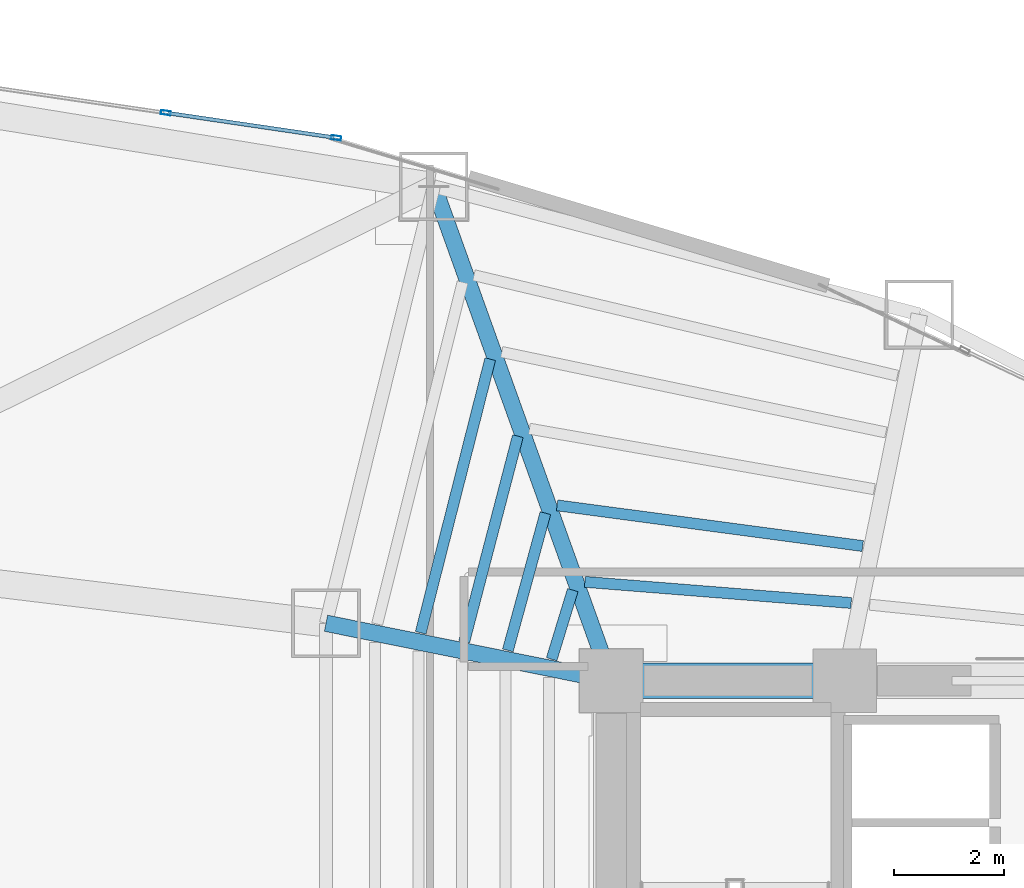
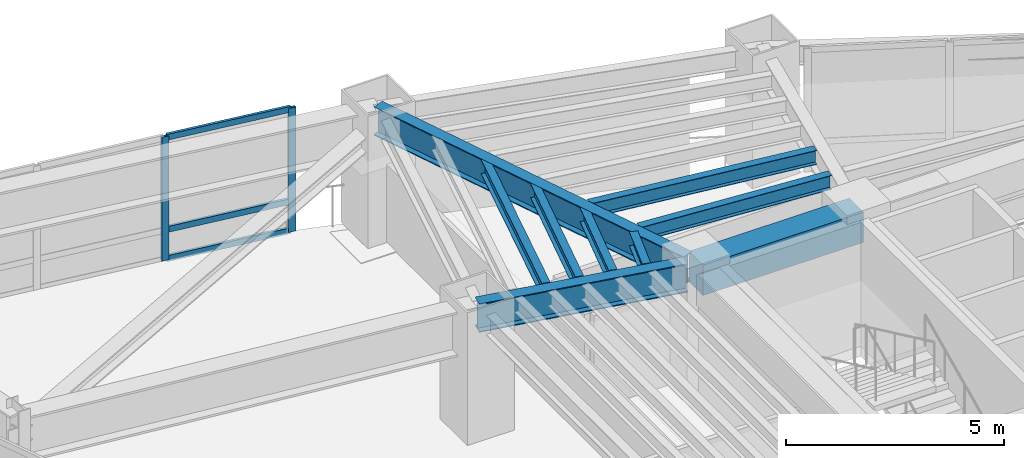
# One storey, part 12 of 23: 9 beams, 5 members, 1 element without a shape of its own.
"""IFC4 building model written with IfcOpenShell, lengths in metres."""

from ifc_helpers import new_model, si_unit, direction, frame, origin, origin_2d, place, context, subcontext, project, spatial, rectangle, hollow_rectangle, i_section, extrude, material, layer, layer_set, material_profile, profile_set, type_object, element, aggregate, save


model = new_model("IFC4")

# Units and contexts
model_context = context("Model", 3, precision=1e-05, world=origin(), true_north=direction((0.0, 1.0)))
body_context = subcontext(model_context, "Body", "Model", "MODEL_VIEW")
ifc_project = project(units=[si_unit("LENGTHUNIT", "METRE"), si_unit("AREAUNIT", "SQUARE_METRE"), si_unit("VOLUMEUNIT", "CUBIC_METRE"), si_unit("PLANEANGLEUNIT", "RADIAN"), si_unit("MASSUNIT", "GRAM", prefix="KILO")], contexts=[model_context])

# Site, building, storey
site_placement = place(None, origin())
site = spatial("IfcSite", under=ifc_project, at=site_placement, CompositionType="ELEMENT")
building_placement = place(site_placement, origin())
building = spatial("IfcBuilding", under=site, at=building_placement, Name="Menara Vayukalpa", CompositionType="ELEMENT")
storey_placement = place(building_placement, frame((0.0, 0.0, 103.97998046875)))
storey = spatial("IfcBuildingStorey", under=building, at=storey_placement, Name="L25", CompositionType="ELEMENT", Elevation=103.97998046875)

# Beams
ifc_material_1 = material(Name="Concrete C60/75", Category="concrete")
ifc_material_profile_1 = material_profile(ifc_material_1, rectangle(XDim=0.64990234375, YDim=0.85009765625, at=origin_2d()), Name="RC 650x850")
ifc_profile_set_1 = profile_set([ifc_material_profile_1], Name="Concrete C60/75")
beam_type_1 = type_object("IfcBeamType", Name="BM-CB1", PredefinedType="BEAM", material=ifc_profile_set_1)
beam_1_placement = place(storey_placement, frame((17.800048828125, 26.800048828125, 3.044921875), z_axis=(1.0, 0.0, 0.0), x_axis=(0.0, 1.0, 0.0)))
element("IfcBeam", 1, at=beam_1_placement, inside=storey, type_object=beam_type_1, Name="L25 Core Tie Beam CBR4", PredefinedType="BEAM", context=body_context, shape_type="SweptSolid", body=[
    extrude(rectangle(XDim=0.64990234375, YDim=0.85009765625, at=origin_2d()), origin(), (0.0, 0.0, 1.0), 4.25),
])
ifc_material_2 = material(Name="Steel S355", Category="steel")
ifc_material_profile_2 = material_profile(ifc_material_2, i_section(OverallWidth=0.300048828125, OverallDepth=0.800048828125, WebThickness=0.013916015625, FlangeThickness=0.02587890625, at=origin_2d()), Name="WF 800x300x14x26")
ifc_profile_set_2 = profile_set([ifc_material_profile_2], Name="Steel S355")
beam_type_2 = type_object("IfcBeamType", Name="BM-PG3", PredefinedType="BEAM", material=ifc_profile_set_2)
beam_2_placement = place(storey_placement, frame((17.715576171875, 27.035400390625, 3.070068359375), z_axis=(-0.337975542909, 0.941154892882, 0.0), x_axis=(-0.941154892882, -0.337975542909, 0.0)))
element("IfcBeam", 2, at=beam_2_placement, inside=storey, type_object=beam_type_2, Name="L25 Primary Radial Girder RG04", PredefinedType="BEAM", context=body_context, shape_type="SweptSolid", body=[
    extrude(i_section(OverallWidth=0.300048828125, OverallDepth=0.800048828125, WebThickness=0.013916015625, FlangeThickness=0.02587890625, at=origin_2d()), origin(), (0.0, 0.0, 1.0), 9.309814453125),
])
beam_3_placement = place(storey_placement, frame((17.554931640625, 26.849365234375, 3.070068359375), z_axis=(-0.980324984906, 0.197390283373, 0.0), x_axis=(-0.197390283373, -0.980324984906, 0.0)))
element("IfcBeam", 3, at=beam_3_placement, inside=storey, type_object=beam_type_2, Name="L25 Primary Radial Girder RG05", PredefinedType="BEAM", context=body_context, shape_type="SweptSolid", body=[
    extrude(i_section(OverallWidth=0.300048828125, OverallDepth=0.800048828125, WebThickness=0.013916015625, FlangeThickness=0.02587890625, at=origin_2d()), origin(), (0.0, 0.0, 1.0), 5.047607421875),
])
ifc_material_3 = material(Name="Steel S355", Category="steel")
ifc_material_profile_3 = material_profile(ifc_material_3, i_section(OverallWidth=0.199951171875, OverallDepth=0.39990234375, WebThickness=0.008056640625, FlangeThickness=0.012939453125, at=origin_2d()), Name="WF 400x200x8x13")
ifc_profile_set_3 = profile_set([ifc_material_profile_3], Name="Steel S355")
beam_type_3 = type_object("IfcBeamType", Name="BM-SJ2", PredefinedType="JOIST", material=ifc_profile_set_3)
beam_4_placement = place(storey_placement, frame((22.166015625, 28.214599609375, 3.27001953125), z_axis=(-0.996868534468, 0.079076703187, 0.0), x_axis=(-0.079076703187, -0.996868534468, 0.0)))
element("IfcBeam", 4, at=beam_4_placement, inside=storey, type_object=beam_type_3, Name="L25 Secondary Floor Joist SJ03-1", PredefinedType="JOIST", context=body_context, shape_type="SweptSolid", body=[
    extrude(i_section(OverallWidth=0.199951171875, OverallDepth=0.39990234375, WebThickness=0.008056640625, FlangeThickness=0.012939453125, at=origin_2d()), origin(), (0.0, 0.0, 1.0), 4.862548828125),
])
beam_5_placement = place(storey_placement, frame((22.376220703125, 29.251220703125, 3.27001953125), z_axis=(-0.991248408809, 0.132009817941, 0.0), x_axis=(-0.132009817941, -0.991248408809, 0.0)))
element("IfcBeam", 5, at=beam_5_placement, inside=storey, type_object=beam_type_3, Name="L25 Secondary Floor Joist SJ03-2", PredefinedType="JOIST", context=body_context, shape_type="SweptSolid", body=[
    extrude(i_section(OverallWidth=0.199951171875, OverallDepth=0.39990234375, WebThickness=0.008056640625, FlangeThickness=0.012939453125, at=origin_2d()), origin(), (0.0, 0.0, 1.0), 5.611083984375),
])
beam_6_placement = place(storey_placement, frame((17.099365234375, 28.449951171875, 3.27001953125), z_axis=(-0.292651981473, -0.956219021846, 0.0), x_axis=(0.956219021846, -0.292651981473, 0.0)))
element("IfcBeam", 6, at=beam_6_placement, inside=storey, type_object=beam_type_3, Name="L25 Secondary Floor Joist SJ04-1", PredefinedType="JOIST", context=body_context, shape_type="SweptSolid", body=[
    extrude(i_section(OverallWidth=0.199951171875, OverallDepth=0.39990234375, WebThickness=0.008056640625, FlangeThickness=0.012939453125, at=origin_2d()), origin(), (0.0, 0.0, 1.0), 1.31640625),
])
beam_7_placement = place(storey_placement, frame((16.600830078125, 29.850341796875, 3.27001953125), z_axis=(-0.263922858843, -0.964543790908, 0.0), x_axis=(0.964543790908, -0.263922858843, 0.0)))
element("IfcBeam", 7, at=beam_7_placement, inside=storey, type_object=beam_type_3, Name="L25 Secondary Floor Joist SJ04-2", PredefinedType="JOIST", context=body_context, shape_type="SweptSolid", body=[
    extrude(i_section(OverallWidth=0.199951171875, OverallDepth=0.39990234375, WebThickness=0.008056640625, FlangeThickness=0.012939453125, at=origin_2d()), origin(), (0.0, 0.0, 1.0), 2.590087890625),
])
beam_8_placement = place(storey_placement, frame((16.099365234375, 31.251953125, 3.27001953125), z_axis=(-0.252406469257, -0.967621296933, 0.0), x_axis=(0.967621296933, -0.252406469257, 0.0)))
element("IfcBeam", 8, at=beam_8_placement, inside=storey, type_object=beam_type_3, Name="L25 Secondary Floor Joist SJ04-3", PredefinedType="JOIST", context=body_context, shape_type="SweptSolid", body=[
    extrude(i_section(OverallWidth=0.199951171875, OverallDepth=0.39990234375, WebThickness=0.008056640625, FlangeThickness=0.012939453125, at=origin_2d()), origin(), (0.0, 0.0, 1.0), 3.865234375),
])
beam_9_placement = place(storey_placement, frame((15.596923828125, 32.653564453125, 3.27001953125), z_axis=(-0.246311066692, -0.969190826631, 0.0), x_axis=(0.969190826631, -0.246311066692, 0.0)))
element("IfcBeam", 9, at=beam_9_placement, inside=storey, type_object=beam_type_3, Name="L25 Secondary Floor Joist SJ04-4", PredefinedType="JOIST", context=body_context, shape_type="SweptSolid", body=[
    extrude(i_section(OverallWidth=0.199951171875, OverallDepth=0.39990234375, WebThickness=0.008056640625, FlangeThickness=0.012939453125, at=origin_2d()), origin(), (0.0, 0.0, 1.0), 5.140380859375),
])

# Curtain wall, members
ifc_material_4 = material(Name="Anodised Terracotta Aluminium Alloy 6063-T6", Category="masonry")
ifc_layer = layer(ifc_material_4, 0.179931640625)
ifc_layer_set = layer_set([ifc_layer], Name="Anodised Terracotta Aluminium Alloy 6063-T6")
curtain_wall_type = type_object("IfcCurtainWallType", Name="CW-CW4", PredefinedType="USERDEFINED", material=ifc_layer_set)
curtain_wall_placement = place(storey_placement, origin())
curtain_wall = element("IfcCurtainWall", 10, at=curtain_wall_placement, inside=storey, type_object=curtain_wall_type, Name="L25 Sky Bar Cantilever Glazed Curtain Wall CW4 07", ObjectType="UNITISED", PredefinedType="USERDEFINED")
ifc_material_5 = material(Name="Anodised Terracotta Aluminium Alloy 6063-T6", Category="masonry")
ifc_material_profile_4 = material_profile(ifc_material_5, hollow_rectangle(XDim=0.074951171875, YDim=0.179931640625, WallThickness=0.00390625, at=origin_2d()), Name="ALU 75x180x4")
ifc_profile_set_4 = profile_set([ifc_material_profile_4], Name="Anodised Terracotta Aluminium Alloy 6063-T6")
member_type_1 = type_object("IfcMemberType", Name="CWM-CW4", PredefinedType="MULLION", material=ifc_profile_set_4)
member_1_placement = place(storey_placement, frame((12.792236328125, 36.681396484375, 0.0), z_axis=(0.0, 0.0, 1.0), x_axis=(-0.145450733924, -0.989365495659, 0.0)))
member_1 = element("IfcMember", 11, at=member_1_placement, type_object=member_type_1, Name="CW4 mullion 1", PredefinedType="MULLION", context=body_context, shape_type="SweptSolid", body=[
    extrude(hollow_rectangle(XDim=0.074951171875, YDim=0.179931640625, WallThickness=0.00390625, at=origin_2d()), origin(), (0.0, 0.0, 1.0), 3.469970703125),
])
member_2_placement = place(storey_placement, frame((9.690673828125, 37.137451171875, 0.0), z_axis=(0.0, 0.0, 1.0), x_axis=(-0.145450733924, -0.989365495659, 0.0)))
member_2 = element("IfcMember", 12, at=member_2_placement, type_object=member_type_1, Name="CW4 mullion 2", PredefinedType="MULLION", context=body_context, shape_type="SweptSolid", body=[
    extrude(hollow_rectangle(XDim=0.074951171875, YDim=0.179931640625, WallThickness=0.00390625, at=origin_2d()), origin(), (0.0, 0.0, 1.0), 3.469970703125),
])
ifc_material_6 = material(Name="Anodised Terracotta Aluminium Alloy 6063-T6", Category="masonry")
ifc_material_profile_5 = material_profile(ifc_material_6, hollow_rectangle(XDim=0.070068359375, YDim=0.1650390625, WallThickness=0.00390625, at=origin_2d()), Name="ALU 70x165x4")
ifc_profile_set_5 = profile_set([ifc_material_profile_5], Name="Anodised Terracotta Aluminium Alloy 6063-T6")
member_type_2 = type_object("IfcMemberType", Name="CWT-CW4", PredefinedType="USERDEFINED", material=ifc_profile_set_5)
member_3_placement = place(storey_placement, frame((12.755126953125, 36.68701171875, 0.034912109375), z_axis=(-0.989365214837, 0.145452644084, 0.0), x_axis=(-0.145452644084, -0.989365214837, 0.0)))
member_3 = element("IfcMember", 13, at=member_3_placement, type_object=member_type_2, Name="CW4 transom 1.1", ObjectType="TRANSOM", PredefinedType="USERDEFINED", context=body_context, shape_type="SweptSolid", body=[
    extrude(hollow_rectangle(XDim=0.070068359375, YDim=0.1650390625, WallThickness=0.00390625, at=origin_2d()), origin(), (0.0, 0.0, 1.0), 3.059814453125),
])
member_4_placement = place(storey_placement, frame((12.755126953125, 36.68701171875, 0.85009765625), z_axis=(-0.989365214837, 0.145452644084, 0.0), x_axis=(-0.145452644084, -0.989365214837, 0.0)))
member_4 = element("IfcMember", 14, at=member_4_placement, type_object=member_type_2, Name="CW4 transom 1.2", ObjectType="TRANSOM", PredefinedType="USERDEFINED", context=body_context, shape_type="SweptSolid", body=[
    extrude(hollow_rectangle(XDim=0.070068359375, YDim=0.1650390625, WallThickness=0.00390625, at=origin_2d()), origin(), (0.0, 0.0, 1.0), 3.059814453125),
])
member_5_placement = place(storey_placement, frame((12.755126953125, 36.68701171875, 3.43505859375), z_axis=(-0.989365214837, 0.145452644084, 0.0), x_axis=(-0.145452644084, -0.989365214837, 0.0)))
member_5 = element("IfcMember", 15, at=member_5_placement, type_object=member_type_2, Name="CW4 transom 1.3", ObjectType="TRANSOM", PredefinedType="USERDEFINED", context=body_context, shape_type="SweptSolid", body=[
    extrude(hollow_rectangle(XDim=0.070068359375, YDim=0.1650390625, WallThickness=0.00390625, at=origin_2d()), origin(), (0.0, 0.0, 1.0), 3.059814453125),
])
aggregate(curtain_wall, [member_1, member_2, member_3, member_4, member_5])

save(model, "model.ifc")
